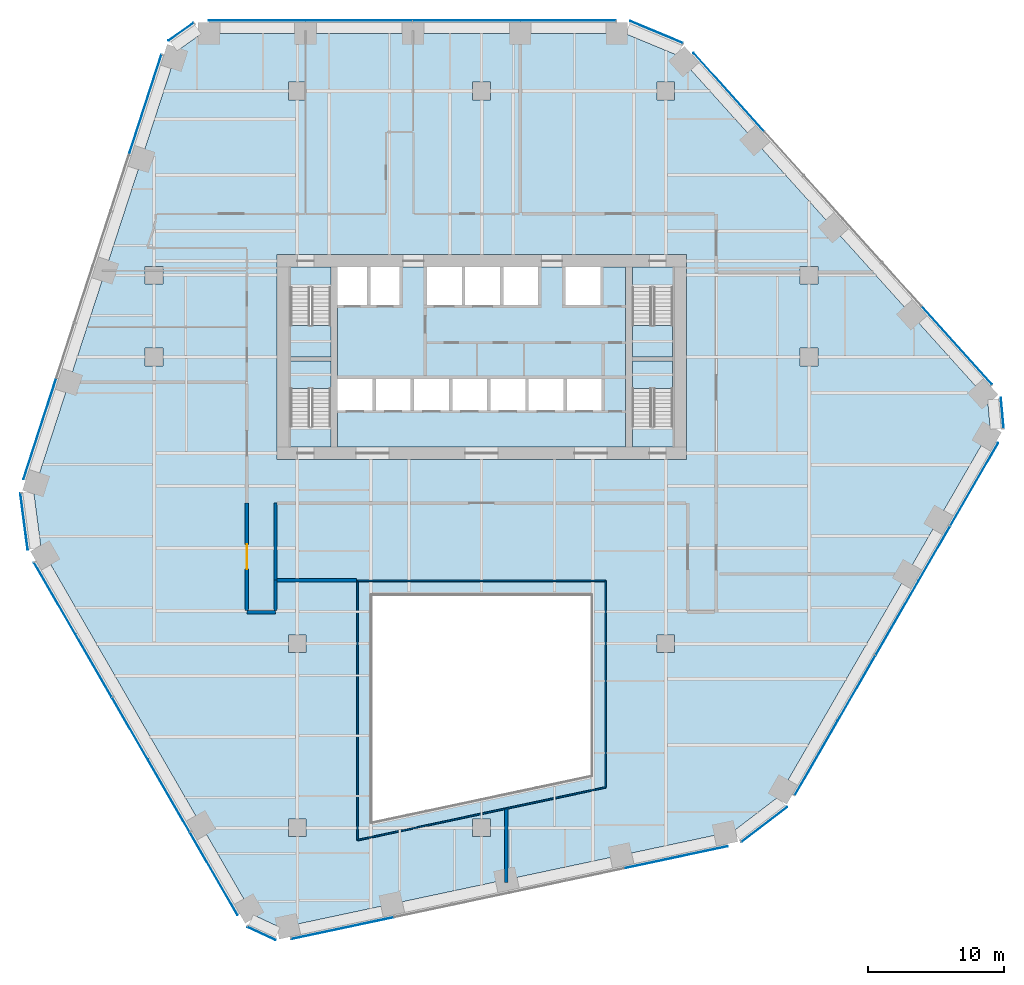
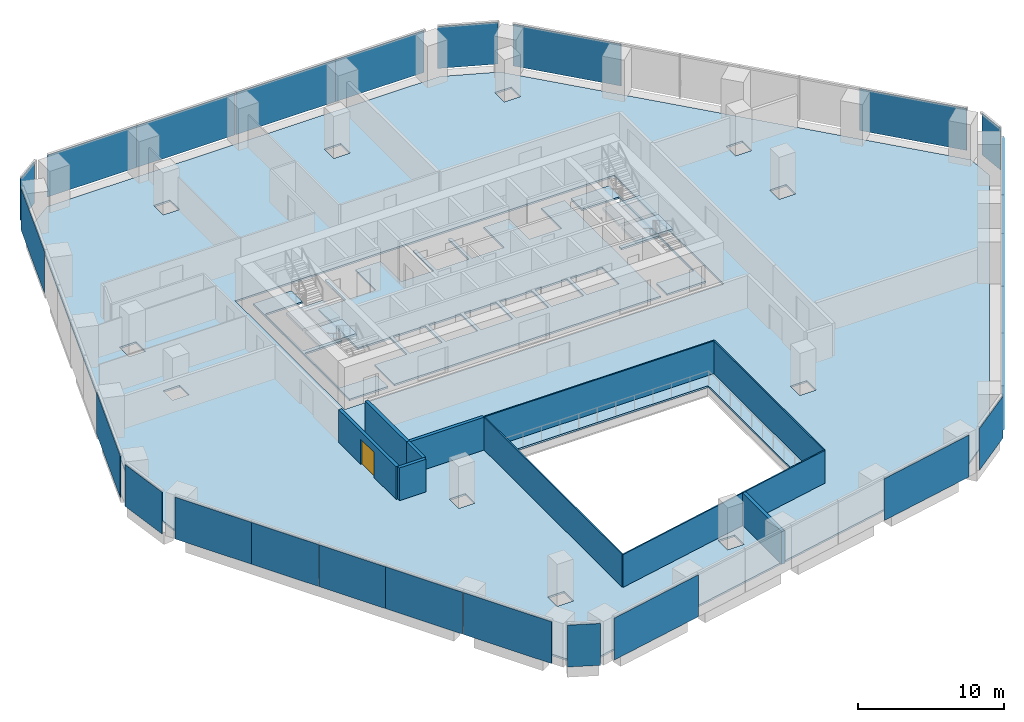
# One storey, part 13 of 19: 26 plates, 10 walls, 8 slabs, 1 door, 1 opening, 16 elements without a shape of their own.
"""IFC4 building model written with IfcOpenShell, lengths in metres."""

from ifc_helpers import new_model, si_unit, direction, frame, frame_2d, origin, origin_2d, place, context, subcontext, project, spatial, polyline, rectangle, outline, extrude, material, layer, layer_set, type_object, element, fill, aggregate, save


model = new_model("IFC4")

# Units and contexts
model_context = context("Model", 3, precision=1e-05, world=origin(), true_north=direction((0.0, 1.0)))
body_context = subcontext(model_context, "Body", "Model", "MODEL_VIEW")
ifc_project = project(units=[si_unit("LENGTHUNIT", "METRE"), si_unit("AREAUNIT", "SQUARE_METRE"), si_unit("VOLUMEUNIT", "CUBIC_METRE"), si_unit("PLANEANGLEUNIT", "RADIAN"), si_unit("MASSUNIT", "GRAM", prefix="KILO")], contexts=[model_context])

# Site, building, storey
site_placement = place(None, origin())
site = spatial("IfcSite", under=ifc_project, at=site_placement, CompositionType="ELEMENT")
building_placement = place(site_placement, origin())
building = spatial("IfcBuilding", under=site, at=building_placement, Name="Isthmus Gate Tower", CompositionType="ELEMENT")
storey_placement = place(building_placement, frame((0.0, 0.0, 95.25)))
storey = spatial("IfcBuildingStorey", under=building, at=storey_placement, Name="L22", CompositionType="ELEMENT", Elevation=95.25)

# Slabs
ifc_material_1 = material(Name="Concrete f'c 40 MPa", Category="concrete")
ifc_layer_1 = layer(ifc_material_1, 0.14990234375)
ifc_layer_set_1 = layer_set([ifc_layer_1], Name="COMPOSITE FLOOR SLAB 150")
slab_type_1 = type_object("IfcSlabType", Name="COMPOSITE FLOOR SLAB 150", PredefinedType="FLOOR", material=ifc_layer_set_1)
slab_1_placement = place(storey_placement, frame((0.0, 0.0, -0.14990234375)))
element("IfcSlab", 1, at=slab_1_placement, inside=storey, type_object=slab_type_1, Name="str-slab-L22-1", PredefinedType="FLOOR", context=body_context, shape_type="SweptSolid", body=[
    extrude(outline(polyline([(14.391357421875, 29.599365234375), (37.081787109375, 4.399169921875), (37.281494140625, 2.17333984375), (21.748779296875, -24.729736328125), (18.438232421875, -27.262939453125), (-14.73095703125, -34.313232421875), (-16.758544921875, -33.373291015625), (-32.291015625, -6.47021484375), (-32.82958984375, -2.33642578125), (-22.3505859375, 29.9140625), (-20.52294921875, 31.199951171875), (10.542236328125, 31.199951171875), (14.391357421875, 29.599365234375)]), holes=[polyline([(-14.14990234375, -27.64990234375), (-12.85009765625, -27.64990234375), (-12.85009765625, -26.35009765625), (-14.14990234375, -26.35009765625), (-14.14990234375, -27.64990234375)]), polyline([(-0.64990234375, -26.35009765625), (-0.64990234375, -27.64990234375), (0.64990234375, -27.64990234375), (0.64990234375, -26.35009765625), (-0.64990234375, -26.35009765625)]), polyline([(-14.14990234375, -12.85009765625), (-14.14990234375, -14.14990234375), (-12.85009765625, -14.14990234375), (-12.85009765625, -12.85009765625), (-14.14990234375, -12.85009765625)]), polyline([(-24.64990234375, 8.14990234375), (-24.64990234375, 6.85009765625), (-23.35009765625, 6.85009765625), (-23.35009765625, 8.14990234375), (-24.64990234375, 8.14990234375)]), polyline([(-23.35009765625, 14.14990234375), (-24.64990234375, 14.14990234375), (-24.64990234375, 12.85009765625), (-23.35009765625, 12.85009765625), (-23.35009765625, 14.14990234375)]), polyline([(-14.14990234375, 27.64990234375), (-14.14990234375, 26.35009765625), (-12.85009765625, 26.35009765625), (-12.85009765625, 27.64990234375), (-14.14990234375, 27.64990234375)]), polyline([(-0.64990234375, 27.64990234375), (-0.64990234375, 26.35009765625), (0.64990234375, 26.35009765625), (0.64990234375, 27.64990234375), (-0.64990234375, 27.64990234375)]), polyline([(8.0, -23.143310546875), (8.0, -10.0), (-8.0, -10.0), (-8.0, -26.544189453125), (8.0, -23.143310546875)]), polyline([(14.14990234375, -12.85009765625), (12.85009765625, -12.85009765625), (12.85009765625, -14.14990234375), (14.14990234375, -14.14990234375), (14.14990234375, -12.85009765625)]), polyline([(15.0, 15.0), (-15.0, 15.0), (-15.0, 0.0), (15.0, 0.0), (15.0, 15.0)]), polyline([(24.64990234375, 8.14990234375), (23.35009765625, 8.14990234375), (23.35009765625, 6.85009765625), (24.64990234375, 6.85009765625), (24.64990234375, 8.14990234375)]), polyline([(23.35009765625, 14.14990234375), (23.35009765625, 12.85009765625), (24.64990234375, 12.85009765625), (24.64990234375, 14.14990234375), (23.35009765625, 14.14990234375)]), polyline([(14.14990234375, 27.64990234375), (12.85009765625, 27.64990234375), (12.85009765625, 26.35009765625), (14.14990234375, 26.35009765625), (14.14990234375, 27.64990234375)])]), origin(), (0.0, 0.0, 1.0), 0.14990234375),
])
ifc_material_2 = material(Name="Concrete f'c 40 MPa", Category="concrete")
ifc_layer_2 = layer(ifc_material_2, 0.14990234375)
ifc_layer_set_2 = layer_set([ifc_layer_2], Name="CORE FLOOR SLAB 150")
slab_type_2 = type_object("IfcSlabType", Name="CORE FLOOR SLAB 150", PredefinedType="FLOOR", material=ifc_layer_set_2)
slab_2_placement = place(storey_placement, frame((0.0, 0.0, -0.14990234375)))
element("IfcSlab", 2, at=slab_2_placement, inside=storey, type_object=slab_type_2, Name="L22 core floor", PredefinedType="FLOOR", context=body_context, shape_type="SweptSolid", body=[
    extrude(outline(polyline([(-11.050048828125, 0.89990234375), (-11.050048828125, 2.402099609375), (-14.0, 2.402099609375), (-14.0, 7.199951171875), (-11.050048828125, 7.199951171875), (-11.050048828125, 7.5), (-14.0, 7.5), (-14.0, 12.597900390625), (-11.050048828125, 12.597900390625), (-11.050048828125, 14.10009765625), (-14.10009765625, 14.10009765625), (-14.10009765625, 0.89990234375), (-11.050048828125, 0.89990234375)])), origin(), (0.0, 0.0, 1.0), 0.14990234375),
])
slab_3_placement = place(storey_placement, frame((0.0, 0.0, -0.14990234375)))
element("IfcSlab", 3, at=slab_3_placement, inside=storey, type_object=slab_type_2, Name="L22 core floor", PredefinedType="FLOOR", context=body_context, shape_type="SweptSolid", body=[
    extrude(outline(polyline([(10.550048828125, 14.10009765625), (8.699951171875, 14.10009765625), (8.699951171875, 11.300048828125), (6.14990234375, 11.300048828125), (6.14990234375, 14.10009765625), (4.14990234375, 14.10009765625), (4.14990234375, 11.300048828125), (1.60009765625, 11.300048828125), (1.60009765625, 14.10009765625), (1.35009765625, 14.10009765625), (1.35009765625, 11.300048828125), (-1.199951171875, 11.300048828125), (-1.199951171875, 14.10009765625), (-1.449951171875, 14.10009765625), (-1.449951171875, 11.300048828125), (-4.0, 11.300048828125), (-4.0, 14.10009765625), (-6.0, 14.10009765625), (-6.0, 11.300048828125), (-8.14990234375, 11.300048828125), (-8.14990234375, 14.10009765625), (-8.39990234375, 14.10009765625), (-8.39990234375, 11.300048828125), (-10.550048828125, 11.300048828125), (-10.550048828125, 5.89990234375), (-8.0, 5.89990234375), (-8.0, 3.60009765625), (-10.550048828125, 3.60009765625), (-10.550048828125, 0.89990234375), (10.550048828125, 0.89990234375), (10.550048828125, 14.10009765625)]), holes=[polyline([(-5.199951171875, 5.89990234375), (-5.199951171875, 3.60009765625), (-7.75, 3.60009765625), (-7.75, 5.89990234375), (-5.199951171875, 5.89990234375)]), polyline([(-2.39990234375, 5.89990234375), (-2.39990234375, 3.60009765625), (-4.949951171875, 3.60009765625), (-4.949951171875, 5.89990234375), (-2.39990234375, 5.89990234375)]), polyline([(0.39990234375, 5.89990234375), (0.39990234375, 3.60009765625), (-2.14990234375, 3.60009765625), (-2.14990234375, 5.89990234375), (0.39990234375, 5.89990234375)]), polyline([(3.199951171875, 5.89990234375), (3.199951171875, 3.60009765625), (0.64990234375, 3.60009765625), (0.64990234375, 5.89990234375), (3.199951171875, 5.89990234375)]), polyline([(6.0, 5.89990234375), (6.0, 3.60009765625), (3.449951171875, 3.60009765625), (3.449951171875, 5.89990234375), (6.0, 5.89990234375)]), polyline([(8.800048828125, 5.89990234375), (8.800048828125, 3.60009765625), (6.25, 3.60009765625), (6.25, 5.89990234375), (8.800048828125, 5.89990234375)])]), origin(), (0.0, 0.0, 1.0), 0.14990234375),
])
slab_4_placement = place(storey_placement, frame((0.0, 0.0, -0.14990234375)))
element("IfcSlab", 4, at=slab_4_placement, inside=storey, type_object=slab_type_2, Name="L22 core floor", PredefinedType="FLOOR", context=body_context, shape_type="SweptSolid", body=[
    extrude(outline(polyline([(11.050048828125, 14.10009765625), (11.050048828125, 12.597900390625), (14.0, 12.597900390625), (14.0, 7.5), (11.050048828125, 7.5), (11.050048828125, 7.199951171875), (14.0, 7.199951171875), (14.0, 2.402099609375), (11.050048828125, 2.402099609375), (11.050048828125, 0.89990234375), (14.10009765625, 0.89990234375), (14.10009765625, 14.10009765625), (11.050048828125, 14.10009765625)])), origin(), (0.0, 0.0, 1.0), 0.14990234375),
])

# Curtain wall, plates
ifc_material_3 = material(Name="Aluminium, pale champagne anodised", Category="aluminium")
ifc_layer_3 = layer(ifc_material_3, 0.199951171875)
ifc_layer_set_3 = layer_set([ifc_layer_3], Name="CW-1 UNITISED CURTAIN WALL 200 DEEP")
curtain_wall_type = type_object("IfcCurtainWallType", Name="CW-1 UNITISED CURTAIN WALL 200 DEEP", PredefinedType="NOTDEFINED", material=ifc_layer_set_3)
curtain_wall_1_placement = place(storey_placement, origin())
curtain_wall_1 = element("IfcCurtainWall", 5, at=curtain_wall_1_placement, inside=storey, type_object=curtain_wall_type, Name="CW-1 N L22", PredefinedType="NOTDEFINED")
ifc_material_4 = material(Name="Laminated low-iron glass, pale blue tint", Category="glass")
ifc_layer_4 = layer(ifc_material_4, 0.0400390625)
ifc_layer_set_4 = layer_set([ifc_layer_4], Name="CW-1 CLEAR GLASS LITE 40")
plate_type = type_object("IfcPlateType", Name="CW-1 CLEAR GLASS LITE 40", PredefinedType="CURTAIN_PANEL", material=ifc_layer_set_4)
plate_1_placement = place(storey_placement, frame((6.337158203125, 32.179931640625, 0.0), z_axis=(0.0, 0.0, 1.0), x_axis=(-1.0, 0.0, 0.0)))
plate_1 = element("IfcPlate", 6, at=plate_1_placement, type_object=plate_type, Name="CW-1 glass lite", PredefinedType="CURTAIN_PANEL", context=body_context, shape_type="SweptSolid", body=[
    extrude(rectangle(XDim=7.009521484375, YDim=0.0400390625, at=origin_2d()), origin(), (0.0, 0.0, 1.0), 3.5),
])
plate_2_placement = place(storey_placement, frame((-1.1025390625, 32.179931640625, 0.0), z_axis=(0.0, 0.0, 1.0), x_axis=(-1.0, 0.0, 0.0)))
plate_2 = element("IfcPlate", 7, at=plate_2_placement, type_object=plate_type, Name="CW-1 glass lite", PredefinedType="CURTAIN_PANEL", context=body_context, shape_type="SweptSolid", body=[
    extrude(rectangle(XDim=7.86962890625, YDim=0.0400390625, at=origin_2d()), origin(), (0.0, 0.0, 1.0), 3.5),
])
plate_3_placement = place(storey_placement, frame((-9.001953125, 32.179931640625, 0.0), z_axis=(0.0, 0.0, 1.0), x_axis=(-1.0, 0.0, 0.0)))
plate_3 = element("IfcPlate", 8, at=plate_3_placement, type_object=plate_type, Name="CW-1 glass lite", PredefinedType="CURTAIN_PANEL", context=body_context, shape_type="SweptSolid", body=[
    extrude(rectangle(XDim=7.8095703125, YDim=0.0400390625, at=origin_2d()), origin(), (0.0, 0.0, 1.0), 3.5),
])
plate_4_placement = place(storey_placement, frame((-16.44140625, 32.179931640625, 0.0), z_axis=(0.0, 0.0, 1.0), x_axis=(-1.0, 0.0, 0.0)))
plate_4 = element("IfcPlate", 9, at=plate_4_placement, type_object=plate_type, Name="CW-1 glass lite", PredefinedType="CURTAIN_PANEL", context=body_context, shape_type="SweptSolid", body=[
    extrude(rectangle(XDim=7.069580078125, YDim=0.0400390625, at=origin_2d()), origin(), (0.0, 0.0, 1.0), 3.5),
])
aggregate(curtain_wall_1, [plate_1, plate_2, plate_3, plate_4])

# Curtain wall, plate
curtain_wall_2_placement = place(storey_placement, origin())
curtain_wall_2 = element("IfcCurtainWall", 10, at=curtain_wall_2_placement, inside=storey, type_object=curtain_wall_type, Name="CW-1 N-NW L22", PredefinedType="NOTDEFINED")
plate_5_placement = place(storey_placement, frame((-22.025146484375, 31.341552734375, 0.0), z_axis=(0.0, 0.0, 1.0), x_axis=(-0.81785959165, -0.57541783805, 0.0)))
plate_5 = element("IfcPlate", 11, at=plate_5_placement, type_object=plate_type, Name="CW-1 glass lite", PredefinedType="CURTAIN_PANEL", context=body_context, shape_type="SweptSolid", body=[
    extrude(rectangle(XDim=2.258544921875, YDim=0.0400390625, at=origin_2d()), origin(), (0.0, 0.0, 1.0), 3.5),
])
aggregate(curtain_wall_2, [plate_5])

# Curtain wall, plates
curtain_wall_3_placement = place(storey_placement, origin())
curtain_wall_3 = element("IfcCurtainWall", 12, at=curtain_wall_3_placement, inside=storey, type_object=curtain_wall_type, Name="CW-1 NW L22", PredefinedType="NOTDEFINED")
plate_6_placement = place(storey_placement, frame((-24.660400390625, 25.97705078125, 0.0), z_axis=(0.0, 0.0, 1.0), x_axis=(-0.309016994375, -0.951056516295, 0.0)))
plate_6 = element("IfcPlate", 13, at=plate_6_placement, type_object=plate_type, Name="CW-1 glass lite", PredefinedType="CURTAIN_PANEL", context=body_context, shape_type="SweptSolid", body=[
    extrude(rectangle(XDim=7.729248046875, YDim=0.0400390625, at=origin_2d()), origin(), (0.0, 0.0, 1.0), 3.5),
])
plate_7_placement = place(storey_placement, frame((-32.36669921875, 2.259765625, 0.0), z_axis=(0.0, 0.0, 1.0), x_axis=(-0.309016994375, -0.951056516295, 0.0)))
plate_7 = element("IfcPlate", 14, at=plate_7_placement, type_object=plate_type, Name="CW-1 glass lite", PredefinedType="CURTAIN_PANEL", context=body_context, shape_type="SweptSolid", body=[
    extrude(rectangle(XDim=7.789306640625, YDim=0.0400390625, at=origin_2d()), origin(), (0.0, 0.0, 1.0), 3.5),
])
aggregate(curtain_wall_3, [plate_6, plate_7])

# Curtain wall, plate
curtain_wall_4_placement = place(storey_placement, origin())
curtain_wall_4 = element("IfcCurtainWall", 15, at=curtain_wall_4_placement, inside=storey, type_object=curtain_wall_type, Name="CW-1 NW-SW L22", PredefinedType="NOTDEFINED")
plate_8_placement = place(storey_placement, frame((-33.5283203125, -4.558349609375, 0.0), z_axis=(0.0, 0.0, 1.0), x_axis=(0.129164534, -0.991623175988, 0.0)))
plate_8 = element("IfcPlate", 16, at=plate_8_placement, type_object=plate_type, Name="CW-1 glass lite", PredefinedType="CURTAIN_PANEL", context=body_context, shape_type="SweptSolid", body=[
    extrude(rectangle(XDim=4.181396484375, YDim=0.0400390625, at=origin_2d()), origin(), (0.0, 0.0, 1.0), 3.5),
])
aggregate(curtain_wall_4, [plate_8])

# Curtain wall, plates
curtain_wall_5_placement = place(storey_placement, origin())
curtain_wall_5 = element("IfcCurtainWall", 17, at=curtain_wall_5_placement, inside=storey, type_object=curtain_wall_type, Name="CW-1 SW L22", PredefinedType="NOTDEFINED")
plate_9_placement = place(storey_placement, frame((-31.277587890625, -10.185791015625, 0.0), z_axis=(0.0, 0.0, 1.0), x_axis=(0.5, -0.866025403784, 0.0)))
plate_9 = element("IfcPlate", 18, at=plate_9_placement, type_object=plate_type, Name="CW-1 glass lite", PredefinedType="CURTAIN_PANEL", context=body_context, shape_type="SweptSolid", body=[
    extrude(rectangle(XDim=6.048583984375, YDim=0.0400390625, at=origin_2d()), origin(), (0.0, 0.0, 1.0), 3.5),
])
plate_10_placement = place(storey_placement, frame((-28.438232421875, -15.103759765625, 0.0), z_axis=(0.0, 0.0, 1.0), x_axis=(0.5, -0.866025403784, 0.0)))
plate_10 = element("IfcPlate", 19, at=plate_10_placement, type_object=plate_type, Name="CW-1 glass lite", PredefinedType="CURTAIN_PANEL", context=body_context, shape_type="SweptSolid", body=[
    extrude(rectangle(XDim=5.30859375, YDim=0.0400390625, at=origin_2d()), origin(), (0.0, 0.0, 1.0), 3.5),
])
plate_11_placement = place(storey_placement, frame((-25.768798828125, -19.72705078125, 0.0), z_axis=(0.0, 0.0, 1.0), x_axis=(0.5, -0.866025403784, 0.0)))
plate_11 = element("IfcPlate", 20, at=plate_11_placement, type_object=plate_type, Name="CW-1 glass lite", PredefinedType="CURTAIN_PANEL", context=body_context, shape_type="SweptSolid", body=[
    extrude(rectangle(XDim=5.24853515625, YDim=0.0400390625, at=origin_2d()), origin(), (0.0, 0.0, 1.0), 3.5),
])
plate_12_placement = place(storey_placement, frame((-22.929443359375, -24.644775390625, 0.0), z_axis=(0.0, 0.0, 1.0), x_axis=(0.5, -0.866025403784, 0.0)))
plate_12 = element("IfcPlate", 21, at=plate_12_placement, type_object=plate_type, Name="CW-1 glass lite", PredefinedType="CURTAIN_PANEL", context=body_context, shape_type="SweptSolid", body=[
    extrude(rectangle(XDim=6.108642578125, YDim=0.0400390625, at=origin_2d()), origin(), (0.0, 0.0, 1.0), 3.5),
])
plate_13_placement = place(storey_placement, frame((-19.62646484375, -30.365966796875, 0.0), z_axis=(0.0, 0.0, 1.0), x_axis=(0.5, -0.866025403784, 0.0)))
plate_13 = element("IfcPlate", 22, at=plate_13_placement, type_object=plate_type, Name="CW-1 glass lite", PredefinedType="CURTAIN_PANEL", context=body_context, shape_type="SweptSolid", body=[
    extrude(rectangle(XDim=6.983642578125, YDim=0.0400390625, at=origin_2d()), origin(), (0.0, 0.0, 1.0), 3.5),
])
aggregate(curtain_wall_5, [plate_9, plate_10, plate_11, plate_12, plate_13])

# Curtain wall, plate
curtain_wall_6_placement = place(storey_placement, origin())
curtain_wall_6 = element("IfcCurtainWall", 23, at=curtain_wall_6_placement, inside=storey, type_object=curtain_wall_type, Name="CW-1 SW-S L22", PredefinedType="NOTDEFINED")
plate_14_placement = place(storey_placement, frame((-16.1298828125, -34.7451171875, 0.0), z_axis=(0.0, 0.0, 1.0), x_axis=(0.907256261367, -0.420578264073, 0.0)))
plate_14 = element("IfcPlate", 24, at=plate_14_placement, type_object=plate_type, Name="CW-1 glass lite", PredefinedType="CURTAIN_PANEL", context=body_context, shape_type="SweptSolid", body=[
    extrude(rectangle(XDim=2.258544921875, YDim=0.0400390625, at=origin_2d()), origin(), (0.0, 0.0, 1.0), 3.5),
])
aggregate(curtain_wall_6, [plate_14])

# Curtain wall, plates
curtain_wall_7_placement = place(storey_placement, origin())
curtain_wall_7 = element("IfcCurtainWall", 25, at=curtain_wall_7_placement, inside=storey, type_object=curtain_wall_type, Name="CW-1 S L22", PredefinedType="NOTDEFINED")
plate_15_placement = place(storey_placement, frame((-10.166748046875, -34.344970703125, 0.0), z_axis=(0.0, 0.0, 1.0), x_axis=(0.978147600734, 0.207911690818, 0.0)))
plate_15 = element("IfcPlate", 26, at=plate_15_placement, type_object=plate_type, Name="CW-1 glass lite", PredefinedType="CURTAIN_PANEL", context=body_context, shape_type="SweptSolid", body=[
    extrude(rectangle(XDim=7.729248046875, YDim=0.0400390625, at=origin_2d()), origin(), (0.0, 0.0, 1.0), 3.5),
])
plate_16_placement = place(storey_placement, frame((14.226318359375, -29.16015625, 0.0), z_axis=(0.0, 0.0, 1.0), x_axis=(0.978147600734, 0.207911690818, 0.0)))
plate_16 = element("IfcPlate", 27, at=plate_16_placement, type_object=plate_type, Name="CW-1 glass lite", PredefinedType="CURTAIN_PANEL", context=body_context, shape_type="SweptSolid", body=[
    extrude(rectangle(XDim=7.789306640625, YDim=0.0400390625, at=origin_2d()), origin(), (0.0, 0.0, 1.0), 3.5),
])
aggregate(curtain_wall_7, [plate_15, plate_16])

# Curtain wall, plate
curtain_wall_8_placement = place(storey_placement, origin())
curtain_wall_8 = element("IfcCurtainWall", 28, at=curtain_wall_8_placement, inside=storey, type_object=curtain_wall_type, Name="CW-1 S-SE L22", PredefinedType="NOTDEFINED")
plate_17_placement = place(storey_placement, frame((20.711669921875, -26.75732421875, 0.0), z_axis=(0.0, 0.0, 1.0), x_axis=(0.794188594387, 0.607671355706, 0.0)))
plate_17 = element("IfcPlate", 29, at=plate_17_placement, type_object=plate_type, Name="CW-1 glass lite", PredefinedType="CURTAIN_PANEL", context=body_context, shape_type="SweptSolid", body=[
    extrude(rectangle(XDim=4.181396484375, YDim=0.0400390625, at=origin_2d()), origin(), (0.0, 0.0, 1.0), 3.5),
])
aggregate(curtain_wall_8, [plate_17])

# Curtain wall, plates
curtain_wall_9_placement = place(storey_placement, origin())
curtain_wall_9 = element("IfcCurtainWall", 30, at=curtain_wall_9_placement, inside=storey, type_object=curtain_wall_type, Name="CW-1 SE L22", PredefinedType="NOTDEFINED")
plate_18_placement = place(storey_placement, frame((24.517333984375, -21.89453125, 0.0), z_axis=(0.0, 0.0, 1.0), x_axis=(0.5, 0.866025403784, 0.0)))
plate_18 = element("IfcPlate", 31, at=plate_18_placement, type_object=plate_type, Name="CW-1 glass lite", PredefinedType="CURTAIN_PANEL", context=body_context, shape_type="SweptSolid", body=[
    extrude(rectangle(XDim=6.278564453125, YDim=0.0400390625, at=origin_2d()), origin(), (0.0, 0.0, 1.0), 3.5),
])
plate_19_placement = place(storey_placement, frame((27.4716796875, -16.777587890625, 0.0), z_axis=(0.0, 0.0, 1.0), x_axis=(0.5, 0.866025403784, 0.0)))
plate_19 = element("IfcPlate", 32, at=plate_19_placement, type_object=plate_type, Name="CW-1 glass lite", PredefinedType="CURTAIN_PANEL", context=body_context, shape_type="SweptSolid", body=[
    extrude(rectangle(XDim=5.53857421875, YDim=0.0400390625, at=origin_2d()), origin(), (0.0, 0.0, 1.0), 3.5),
])
plate_20_placement = place(storey_placement, frame((30.4560546875, -11.608642578125, 0.0), z_axis=(0.0, 0.0, 1.0), x_axis=(0.5, 0.866025403784, 0.0)))
plate_20 = element("IfcPlate", 33, at=plate_20_placement, type_object=plate_type, Name="CW-1 glass lite", PredefinedType="CURTAIN_PANEL", context=body_context, shape_type="SweptSolid", body=[
    extrude(rectangle(XDim=6.278564453125, YDim=0.0400390625, at=origin_2d()), origin(), (0.0, 0.0, 1.0), 3.5),
])
plate_21_placement = place(storey_placement, frame((33.173828125, -6.901123046875, 0.0), z_axis=(0.0, 0.0, 1.0), x_axis=(0.5, 0.866025403784, 0.0)))
plate_21 = element("IfcPlate", 34, at=plate_21_placement, type_object=plate_type, Name="CW-1 glass lite", PredefinedType="CURTAIN_PANEL", context=body_context, shape_type="SweptSolid", body=[
    extrude(rectangle(XDim=4.5927734375, YDim=0.0400390625, at=origin_2d()), origin(), (0.0, 0.0, 1.0), 3.5),
])
plate_22_placement = place(storey_placement, frame((36.1044921875, -1.8251953125, 0.0), z_axis=(0.0, 0.0, 1.0), x_axis=(0.5, 0.866025403784, 0.0)))
plate_22 = element("IfcPlate", 35, at=plate_22_placement, type_object=plate_type, Name="CW-1 glass lite", PredefinedType="CURTAIN_PANEL", context=body_context, shape_type="SweptSolid", body=[
    extrude(rectangle(XDim=7.009521484375, YDim=0.0400390625, at=origin_2d()), origin(), (0.0, 0.0, 1.0), 3.5),
])
aggregate(curtain_wall_9, [plate_18, plate_19, plate_20, plate_21, plate_22])

# Curtain wall, plate
curtain_wall_10_placement = place(storey_placement, origin())
curtain_wall_10 = element("IfcCurtainWall", 36, at=curtain_wall_10_placement, inside=storey, type_object=curtain_wall_type, Name="CW-1 SE-NE L22", PredefinedType="NOTDEFINED")
plate_23_placement = place(storey_placement, frame((38.155029296875, 3.403564453125, 0.0), z_axis=(0.0, 0.0, 1.0), x_axis=(-0.089396669717, 0.995996102123, 0.0)))
plate_23 = element("IfcPlate", 37, at=plate_23_placement, type_object=plate_type, Name="CW-1 glass lite", PredefinedType="CURTAIN_PANEL", context=body_context, shape_type="SweptSolid", body=[
    extrude(rectangle(XDim=2.258544921875, YDim=0.0400390625, at=origin_2d()), origin(), (0.0, 0.0, 1.0), 3.5),
])
aggregate(curtain_wall_10, [plate_23])

# Curtain wall, plates
curtain_wall_11_placement = place(storey_placement, origin())
curtain_wall_11 = element("IfcCurtainWall", 38, at=curtain_wall_11_placement, inside=storey, type_object=curtain_wall_type, Name="CW-1 NE L22", PredefinedType="NOTDEFINED")
plate_24_placement = place(storey_placement, frame((34.826904296875, 8.367919921875, 0.0), z_axis=(0.0, 0.0, 1.0), x_axis=(-0.669130606359, 0.743144825477, 0.0)))
plate_24 = element("IfcPlate", 39, at=plate_24_placement, type_object=plate_type, Name="CW-1 glass lite", PredefinedType="CURTAIN_PANEL", context=body_context, shape_type="SweptSolid", body=[
    extrude(rectangle(XDim=7.729248046875, YDim=0.0400390625, at=origin_2d()), origin(), (0.0, 0.0, 1.0), 3.5),
])
plate_25_placement = place(storey_placement, frame((18.14013671875, 26.900390625, 0.0), z_axis=(0.0, 0.0, 1.0), x_axis=(-0.669130606359, 0.743144825477, 0.0)))
plate_25 = element("IfcPlate", 40, at=plate_25_placement, type_object=plate_type, Name="CW-1 glass lite", PredefinedType="CURTAIN_PANEL", context=body_context, shape_type="SweptSolid", body=[
    extrude(rectangle(XDim=7.789306640625, YDim=0.0400390625, at=origin_2d()), origin(), (0.0, 0.0, 1.0), 3.5),
])
aggregate(curtain_wall_11, [plate_24, plate_25])

# Curtain wall, plate
curtain_wall_12_placement = place(storey_placement, origin())
curtain_wall_12 = element("IfcCurtainWall", 41, at=curtain_wall_12_placement, inside=storey, type_object=curtain_wall_type, Name="CW-1 NE-N L22", PredefinedType="NOTDEFINED")
plate_26_placement = place(storey_placement, frame((12.816650390625, 31.315673828125, 0.0), z_axis=(0.0, 0.0, 1.0), x_axis=(-0.923353128387, 0.383951820282, 0.0)))
plate_26 = element("IfcPlate", 42, at=plate_26_placement, type_object=plate_type, Name="CW-1 glass lite", PredefinedType="CURTAIN_PANEL", context=body_context, shape_type="SweptSolid", body=[
    extrude(rectangle(XDim=4.181396484375, YDim=0.0400390625, at=origin_2d()), origin(), (0.0, 0.0, 1.0), 3.5),
])
aggregate(curtain_wall_12, [plate_26])

# Stair, slab
ifc_material_5 = material(Name="Concrete f'c 40 MPa", Category="concrete")
stair_type = type_object("IfcStairType", Name="CORE STAIR 22 RISERS", PredefinedType="HALF_TURN_STAIR", material=ifc_material_5)
stair_1_placement = place(storey_placement, origin())
stair_1 = element("IfcStair", 43, at=stair_1_placement, inside=storey, type_object=stair_type, Name="L22 Exit Stair 1", PredefinedType="HALF_TURN_STAIR")
ifc_material_6 = material(Name="Concrete f'c 40 MPa", Category="concrete")
ifc_layer_5 = layer(ifc_material_6, 0.199951171875)
ifc_layer_set_5 = layer_set([ifc_layer_5])
slab_type_3 = type_object("IfcSlabType", Name="STAIR LANDING RC 200", PredefinedType="LANDING", material=ifc_layer_set_5)
slab_5_placement = place(storey_placement, frame((0.0, 0.0, 1.625)))
slab_5 = element("IfcSlab", 44, at=slab_5_placement, type_object=slab_type_3, Name="ST1 landing 1", PredefinedType="LANDING", context=body_context, shape_type="SweptSolid", body=[
    extrude(outline(polyline([(-14.0, 9.800048828125), (-14.0, 7.5), (-11.050048828125, 7.5), (-11.050048828125, 9.800048828125), (-14.0, 9.800048828125)])), origin(), (0.0, 0.0, 1.0), 0.199951171875),
])
aggregate(stair_1, [slab_5])

stair_2_placement = place(storey_placement, origin())
stair_2 = element("IfcStair", 45, at=stair_2_placement, inside=storey, type_object=stair_type, Name="L22 Exit Stair 2", PredefinedType="HALF_TURN_STAIR")
slab_6_placement = place(storey_placement, frame((0.0, 0.0, 1.625)))
slab_6 = element("IfcSlab", 46, at=slab_6_placement, type_object=slab_type_3, Name="ST2 landing 1", PredefinedType="LANDING", context=body_context, shape_type="SweptSolid", body=[
    extrude(outline(polyline([(11.050048828125, 9.800048828125), (11.050048828125, 7.5), (14.0, 7.5), (14.0, 9.800048828125), (11.050048828125, 9.800048828125)])), origin(), (0.0, 0.0, 1.0), 0.199951171875),
])
aggregate(stair_2, [slab_6])

stair_3_placement = place(storey_placement, origin())
stair_3 = element("IfcStair", 47, at=stair_3_placement, inside=storey, type_object=stair_type, Name="L22 Exit Stair 7", PredefinedType="HALF_TURN_STAIR")
slab_7_placement = place(storey_placement, frame((0.0, 0.0, 1.625)))
slab_7 = element("IfcSlab", 48, at=slab_7_placement, type_object=slab_type_3, Name="ST7 landing 1", PredefinedType="LANDING", context=body_context, shape_type="SweptSolid", body=[
    extrude(outline(polyline([(-11.050048828125, 5.199951171875), (-11.050048828125, 7.199951171875), (-14.0, 7.199951171875), (-14.0, 5.199951171875), (-11.050048828125, 5.199951171875)])), origin(), (0.0, 0.0, 1.0), 0.199951171875),
])
aggregate(stair_3, [slab_7])

stair_4_placement = place(storey_placement, origin())
stair_4 = element("IfcStair", 49, at=stair_4_placement, inside=storey, type_object=stair_type, Name="L22 Exit Stair 8", PredefinedType="HALF_TURN_STAIR")
slab_8_placement = place(storey_placement, frame((0.0, 0.0, 1.625)))
slab_8 = element("IfcSlab", 50, at=slab_8_placement, type_object=slab_type_3, Name="ST8 landing 1", PredefinedType="LANDING", context=body_context, shape_type="SweptSolid", body=[
    extrude(outline(polyline([(14.0, 5.199951171875), (14.0, 7.199951171875), (11.050048828125, 7.199951171875), (11.050048828125, 5.199951171875), (14.0, 5.199951171875)])), origin(), (0.0, 0.0, 1.0), 0.199951171875),
])
aggregate(stair_4, [slab_8])

# Walls
ifc_material_7 = material(Name="Double-leaf acoustic stud wall, fire-rated", Category="gypsum")
ifc_layer_6 = layer(ifc_material_7, 0.25)
ifc_layer_set_6 = layer_set([ifc_layer_6], Name="ACOUSTIC WALL 250 60 MIN")
wall_type_1 = type_object("IfcWallType", Name="ACOUSTIC WALL 250 60 MIN", PredefinedType="PARTITIONING", material=ifc_layer_set_6)
wall_1_placement = place(storey_placement, frame((-15.10009765625, -11.199951171875, 0.0), z_axis=(0.0, 0.0, 1.0), x_axis=(-1.0, 0.0, 0.0)))
element("IfcWall", 51, at=wall_1_placement, inside=storey, type_object=wall_type_1, Name="L22 Acoustic Wall 250 60 Min", PredefinedType="PARTITIONING", context=body_context, shape_type="SweptSolid", body=[
    extrude(rectangle(XDim=2.097900390625, YDim=0.25, at=frame_2d((1.048828125, 0.0))), origin(), (0.0, 0.0, 1.0), 2.7412109375),
])
wall_2_placement = place(storey_placement, frame((-15.10009765625, -8.85009765625, 0.0), z_axis=(0.0, 0.0, 1.0), x_axis=(0.0, -1.0, 0.0)))
element("IfcWall", 52, at=wall_2_placement, inside=storey, type_object=wall_type_1, Name="L22 Acoustic Wall 250 60 Min", PredefinedType="PARTITIONING", context=body_context, shape_type="SweptSolid", body=[
    extrude(rectangle(XDim=2.224853515625, YDim=0.25, at=frame_2d((1.1123046875, 0.0))), origin(), (0.0, 0.0, 1.0), 2.7412109375),
])
wall_3_placement = place(storey_placement, frame((-15.10009765625, -3.199951171875, 0.0), z_axis=(0.0, 0.0, 1.0), x_axis=(0.0, -1.0, 0.0)))
element("IfcWall", 53, at=wall_3_placement, inside=storey, type_object=wall_type_1, Name="L22 Acoustic Wall 250 60 Min", PredefinedType="PARTITIONING", context=body_context, shape_type="SweptSolid", body=[
    extrude(rectangle(XDim=5.650146484375, YDim=0.25, at=frame_2d((2.8251953125, 0.0))), origin(), (0.0, 0.0, 1.0), 2.7412109375),
])

# Wall, opening, door
wall_4_placement = place(storey_placement, frame((-17.197998046875, -11.074951171875, 0.0), z_axis=(0.0, 0.0, 1.0), x_axis=(0.0, 1.0, 0.0)))
wall_4 = element("IfcWall", 54, at=wall_4_placement, inside=storey, type_object=wall_type_1, Name="L22 Acoustic Wall 250 60 Min", PredefinedType="PARTITIONING", context=body_context, shape_type="SweptSolid", body=[
    extrude(rectangle(XDim=7.886962890625, YDim=0.25, at=frame_2d((3.943359375, 0.0))), origin(), (0.0, 0.0, 1.0), 2.7412109375),
])
opening_placement = place(wall_4_placement, frame((3.04345703125, 0.0, 0.0)))
opening = element("IfcOpeningElement", 55, at=opening_placement, cuts=wall_4, Name="Opening DT-T2B-11", PredefinedType="OPENING", context=body_context, shape_type="SweptSolid", body=[
    extrude(rectangle(XDim=1.800048828125, YDim=2.10009765625, at=frame_2d((0.89990234375, 1.050048828125))), frame((0.0, 0.135009765625, 0.0), z_axis=(0.0, -1.0, 0.0), x_axis=(1.0, 0.0, 0.0)), (0.0, 0.0, 1.0), 0.27001953125),
])
ifc_material_8 = material(Name="Solid core timber door leaf, fire-rated", Category="wood")
door_type = type_object("IfcDoorType", Name="FIRE DOOR ACOUSTIC ROOM 1800 X 2100 60 MIN", OperationType="DOUBLE_DOOR_DOUBLE_SWING", PredefinedType="DOOR", material=ifc_material_8)
door_placement = place(opening_placement, origin())
door = element("IfcDoor", 56, at=door_placement, inside=storey, type_object=door_type, Name="L22 room door", OperationType="DOUBLE_DOOR_DOUBLE_SWING", OverallHeight=2.10009765625, OverallWidth=1.800048828125, PredefinedType="DOOR", context=body_context, shape_type="SweptSolid", body=[
    extrude(rectangle(XDim=1.800048828125, YDim=2.10009765625, at=frame_2d((0.89990234375, 1.050048828125))), frame((0.0, 0.02490234375, 0.0), z_axis=(0.0, -1.0, 0.0), x_axis=(1.0, 0.0, 0.0)), (0.0, 0.0, 1.0), 0.050048828125),
])
fill(opening, door)

# Walls
wall_5_placement = place(storey_placement, frame((1.81103515625, -31.001953125, 0.0), z_axis=(0.0, 0.0, 1.0), x_axis=(0.0, 1.0, 0.0)))
element("IfcWall", 57, at=wall_5_placement, inside=storey, type_object=wall_type_1, Name="L22 Acoustic Wall 250 60 Min", PredefinedType="PARTITIONING", context=body_context, shape_type="SweptSolid", body=[
    extrude(rectangle(XDim=5.367919921875, YDim=0.25, at=frame_2d((2.68408203125, 0.0))), origin(), (0.0, 0.0, 1.0), 2.7412109375),
])
wall_6_placement = place(storey_placement, frame((-9.14990234375, -8.85009765625, 0.0), z_axis=(0.0, 0.0, 1.0), x_axis=(-1.0, 0.0, 0.0)))
element("IfcWall", 58, at=wall_6_placement, inside=storey, type_object=wall_type_1, Name="L22 Acoustic Wall 250 60 Min", PredefinedType="PARTITIONING", context=body_context, shape_type="SweptSolid", body=[
    extrude(rectangle(XDim=5.8251953125, YDim=0.25, at=frame_2d((2.91259765625, 0.0))), origin(), (0.0, 0.0, 1.0), 2.7412109375),
])
ifc_material_9 = material(Name="Fire-rated laminated glass in steel frame", Category="steel")
ifc_layer_7 = layer(ifc_material_9, 0.10009765625)
ifc_layer_set_7 = layer_set([ifc_layer_7], Name="ATRIUM SCREEN GLAZED WALL 100 120 MIN")
wall_type_2 = type_object("IfcWallType", Name="ATRIUM SCREEN GLAZED WALL 100 120 MIN", PredefinedType="PARTITIONING", material=ifc_layer_set_7)
wall_7_placement = place(storey_placement, frame((-9.10009765625, -8.89990234375, 0.0), z_axis=(0.0, 0.0, 1.0), x_axis=(1.0, 0.0, 0.0)))
element("IfcWall", 59, at=wall_7_placement, inside=storey, type_object=wall_type_2, Name="L22 atrium screen", PredefinedType="PARTITIONING", context=body_context, shape_type="SweptSolid", body=[
    extrude(rectangle(XDim=18.2001953125, YDim=0.10009765625, at=frame_2d((9.10009765625, 0.0))), origin(), (0.0, 0.0, 1.0), 2.7412109375),
])
wall_8_placement = place(storey_placement, frame((9.10009765625, -8.89990234375, 0.0), z_axis=(0.0, 0.0, 1.0), x_axis=(0.0, -1.0, 0.0)))
element("IfcWall", 60, at=wall_8_placement, inside=storey, type_object=wall_type_2, Name="L22 atrium screen", PredefinedType="PARTITIONING", context=body_context, shape_type="SweptSolid", body=[
    extrude(rectangle(XDim=15.134033203125, YDim=0.10009765625, at=frame_2d((7.56689453125, 0.0))), origin(), (0.0, 0.0, 1.0), 2.7412109375),
])
wall_9_placement = place(storey_placement, frame((9.10009765625, -24.033935546875, 0.0), z_axis=(0.0, 0.0, 1.0), x_axis=(-0.978146710971, -0.207915876778, 0.0)))
element("IfcWall", 61, at=wall_9_placement, inside=storey, type_object=wall_type_2, Name="L22 atrium screen", PredefinedType="PARTITIONING", context=body_context, shape_type="SweptSolid", body=[
    extrude(rectangle(XDim=18.60693359375, YDim=0.10009765625, at=frame_2d((9.303466796875, 0.0))), origin(), (0.0, 0.0, 1.0), 2.7412109375),
])
wall_10_placement = place(storey_placement, frame((-9.10009765625, -27.902587890625, 0.0), z_axis=(0.0, 0.0, 1.0), x_axis=(0.0, 1.0, 0.0)))
element("IfcWall", 62, at=wall_10_placement, inside=storey, type_object=wall_type_2, Name="L22 atrium screen", PredefinedType="PARTITIONING", context=body_context, shape_type="SweptSolid", body=[
    extrude(rectangle(XDim=19.002685546875, YDim=0.10009765625, at=frame_2d((9.50146484375, 0.0))), origin(), (0.0, 0.0, 1.0), 2.7412109375),
])

save(model, "model.ifc")
